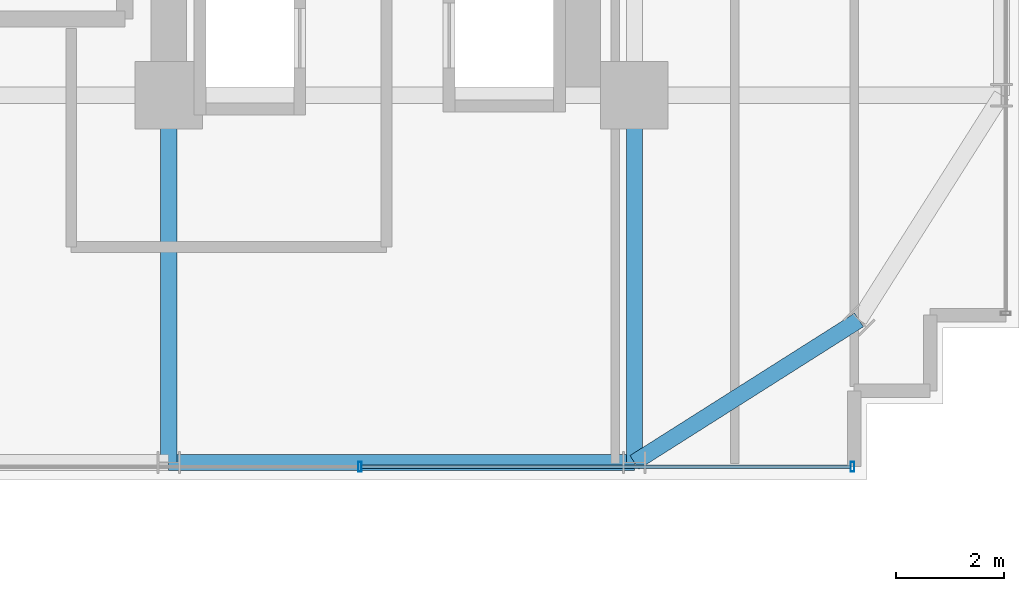
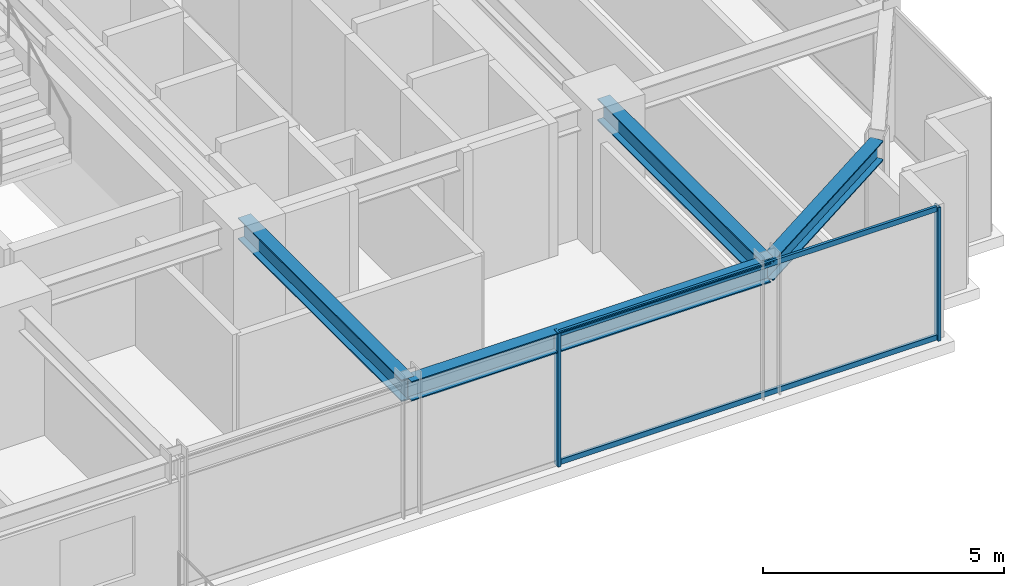
# One storey, part 11 of 33: 4 beams, 4 members, 1 element without a shape of its own.
"""IFC4 building model written with IfcOpenShell, lengths in metres."""

from ifc_helpers import new_model, si_unit, direction, frame, origin, origin_2d, place, context, subcontext, project, spatial, hollow_rectangle, i_section, extrude, source, transform, mapped, material, material_profile, profile_set, type_object, element, aggregate, save


model = new_model("IFC4")

# Units and contexts
model_context = context("Model", 3, precision=1e-05, world=origin(), true_north=direction((0.0, 1.0)))
body_context = subcontext(model_context, "Body", "Model", "MODEL_VIEW")
ifc_project = project(units=[si_unit("LENGTHUNIT", "METRE"), si_unit("AREAUNIT", "SQUARE_METRE"), si_unit("VOLUMEUNIT", "CUBIC_METRE"), si_unit("PLANEANGLEUNIT", "RADIAN"), si_unit("MASSUNIT", "GRAM", prefix="KILO")], contexts=[model_context])

# Site, building, storey
site_placement = place(None, origin())
site = spatial("IfcSite", under=ifc_project, at=site_placement, CompositionType="ELEMENT")
building_placement = place(site_placement, origin())
building = spatial("IfcBuilding", under=site, at=building_placement, Name="Nahalor Promenade Grand Hotel", CompositionType="ELEMENT")
storey_placement = place(building_placement, frame((0.0, 0.0, 117.5)))
storey = spatial("IfcBuildingStorey", under=building, at=storey_placement, Name="L29", CompositionType="ELEMENT", Elevation=117.5)

# Beams
ifc_material_1 = material(Name="Steel S355JR", Category="steel")
ifc_material_profile_1 = material_profile(ifc_material_1, i_section(OverallWidth=0.3, OverallDepth=0.5, WebThickness=0.0145, FlangeThickness=0.028, at=origin_2d()), Name="HEB 500")
ifc_profile_set_1 = profile_set([ifc_material_profile_1], Name="Steel S355JR")
beam_type_1 = type_object("IfcBeamType", Name="Beam-Spandrel-HEB500", PredefinedType="SPANDREL", material=ifc_profile_set_1)
shared_shape_1 = source(origin(), body_context, "Body", "SweptSolid", [
    extrude(i_section(OverallWidth=0.3, OverallDepth=0.5, WebThickness=0.0145, FlangeThickness=0.028, at=origin_2d()), origin(), (0.0, 0.0, 1.0), 8.60009765625),
])
beam_1_placement = place(storey_placement, frame((8.39990234375, -23.780029296875, 3.1298828125), z_axis=(1.0, 0.0, 0.0), x_axis=(0.0, 1.0, 0.0)))
element("IfcBeam", 1, at=beam_1_placement, inside=storey, type_object=beam_type_1, Name="BM-L29-SP-S-4", PredefinedType="SPANDREL", context=body_context, shape_type="MappedRepresentation", body=[
    mapped(shared_shape_1, transform((0.0, 0.0, 0.0), scale=1.0)),
])
shared_shape_2 = source(origin(), body_context, "Body", "SweptSolid", [
    extrude(i_section(OverallWidth=0.3, OverallDepth=0.5, WebThickness=0.0145, FlangeThickness=0.028, at=origin_2d()), origin(), (0.0, 0.0, 1.0), 4.9130859375),
])
beam_2_placement = place(storey_placement, frame((17.0, -23.780029296875, 3.1298828125), z_axis=(0.844648325505, 0.535321591403, 0.0), x_axis=(-0.535321591403, 0.844648325505, 0.0)))
element("IfcBeam", 2, at=beam_2_placement, inside=storey, type_object=beam_type_1, Name="BM-L29-SPC-SE-1", PredefinedType="SPANDREL", context=body_context, shape_type="MappedRepresentation", body=[
    mapped(shared_shape_2, transform((0.0, 0.0, 0.0), scale=1.0)),
])
ifc_material_profile_2 = material_profile(ifc_material_1, i_section(OverallWidth=0.3, OverallDepth=0.55, WebThickness=0.015, FlangeThickness=0.029, at=origin_2d()), Name="HEB 550")
ifc_profile_set_2 = profile_set([ifc_material_profile_2], Name="Steel S355JR")
beam_type_2 = type_object("IfcBeamType", Name="Beam-Girder-HEB550", PredefinedType="BEAM", material=ifc_profile_set_2)
shared_shape_3 = source(origin(), body_context, "Body", "SweptSolid", [
    extrude(i_section(OverallWidth=0.3, OverallDepth=0.55, WebThickness=0.015, FlangeThickness=0.029, at=origin_2d()), origin(), (0.0, 0.0, 1.0), 6.780029296875),
])
for number, where, z_axis, x_axis, name in (
    (3, (8.39990234375, -23.780029296875, 3.10498046875), (0.0, 1.0, 0.0), (-1.0, 0.0, 0.0), "BM-L29-GY-4-0"),
    (4, (17.0, -23.780029296875, 3.10498046875), (0.0, 1.0, 0.0), (-1.0, 0.0, 0.0), "BM-L29-GY-5-0"),
):
    element("IfcBeam", number, at=place(storey_placement, frame(where, z_axis=z_axis, x_axis=x_axis)), inside=storey, type_object=beam_type_2, Name=name, PredefinedType="BEAM", context=body_context, shape_type="MappedRepresentation", body=[
        mapped(shared_shape_3, transform((0.0, 0.0, 0.0), scale=1.0)),
    ])

# Curtain wall, members
ifc_material_2 = material(Name="Anodised Bronze Aluminium EN AW-6063 T6", Category="aluminium")
curtain_wall_type = type_object("IfcCurtainWallType", Name="CW2 Typical Hotel Flush Bronze Unitised Curtain Wall", PredefinedType="USERDEFINED", material=ifc_material_2)
curtain_wall_placement = place(storey_placement, origin())
curtain_wall = element("IfcCurtainWall", 5, at=curtain_wall_placement, inside=storey, type_object=curtain_wall_type, Name="L29 Curtain Wall CW-L29-S-3", ObjectType="UNITISED_CURTAIN_WALL", PredefinedType="USERDEFINED")
ifc_material_profile_3 = material_profile(ifc_material_2, hollow_rectangle(XDim=0.065, YDim=0.18, WallThickness=0.004, at=origin_2d()), Name="CWM 65x180x4")
ifc_profile_set_3 = profile_set([ifc_material_profile_3], Name="Anodised Bronze Aluminium EN AW-6063 T6")
member_type_1 = type_object("IfcMemberType", Name="CWM2 Typical Bronze Mullion 65x180", PredefinedType="MULLION", material=ifc_profile_set_3)
shared_shape_4 = source(origin(), body_context, "Body", "SweptSolid", [
    extrude(hollow_rectangle(XDim=0.065, YDim=0.18, WallThickness=0.004, at=origin_2d()), origin(), (0.0, 0.0, 1.0), 3.3798828125),
])
member_1_placement = place(storey_placement, frame((11.929931640625, -23.860107421875, 0.0), z_axis=(0.0, 0.0, 1.0), x_axis=(1.0, 0.0, 0.0)))
member_1 = element("IfcMember", 6, at=member_1_placement, type_object=member_type_1, Name="CW-L29-S-3 Mullion 1", PredefinedType="MULLION", context=body_context, shape_type="MappedRepresentation", body=[
    mapped(shared_shape_4, transform((0.0, 0.0, 0.0), scale=1.0)),
])
member_2_placement = place(storey_placement, frame((21.027587890625, -23.860107421875, 0.0), z_axis=(0.0, 0.0, 1.0), x_axis=(1.0, 0.0, 0.0)))
member_2 = element("IfcMember", 7, at=member_2_placement, type_object=member_type_1, Name="CW-L29-S-3 Mullion 2", PredefinedType="MULLION", context=body_context, shape_type="MappedRepresentation", body=[
    mapped(shared_shape_4, transform((0.0, 0.0, 0.0), scale=1.0)),
])
ifc_material_profile_4 = material_profile(ifc_material_2, hollow_rectangle(XDim=0.065, YDim=0.13, WallThickness=0.004, at=origin_2d()), Name="CWT 65x130x4")
ifc_profile_set_4 = profile_set([ifc_material_profile_4], Name="Anodised Bronze Aluminium EN AW-6063 T6")
member_type_2 = type_object("IfcMemberType", Name="CWT2 Typical Bronze Transom 65x130", PredefinedType="USERDEFINED", material=ifc_profile_set_4)
shared_shape_5 = source(origin(), body_context, "Body", "SweptSolid", [
    extrude(hollow_rectangle(XDim=0.065, YDim=0.13, WallThickness=0.004, at=origin_2d()), origin(), (0.0, 0.0, 1.0), 9.03271484375),
])
member_3_placement = place(storey_placement, frame((11.96240234375, -23.860107421875, 0.06494140625), z_axis=(1.0, 0.0, 0.0), x_axis=(0.0, 1.0, 0.0)))
member_3 = element("IfcMember", 8, at=member_3_placement, type_object=member_type_2, Name="CW-L29-S-3 Transom 1-0", ObjectType="TRANSOM", PredefinedType="USERDEFINED", context=body_context, shape_type="MappedRepresentation", body=[
    mapped(shared_shape_5, transform((0.0, 0.0, 0.0), scale=1.0)),
])
member_4_placement = place(storey_placement, frame((11.96240234375, -23.860107421875, 3.31494140625), z_axis=(1.0, 0.0, 0.0), x_axis=(0.0, 1.0, 0.0)))
member_4 = element("IfcMember", 9, at=member_4_placement, type_object=member_type_2, Name="CW-L29-S-3 Transom 1-1", ObjectType="TRANSOM", PredefinedType="USERDEFINED", context=body_context, shape_type="MappedRepresentation", body=[
    mapped(shared_shape_5, transform((0.0, 0.0, 0.0), scale=1.0)),
])
aggregate(curtain_wall, [member_1, member_2, member_3, member_4])

save(model, "model.ifc")
